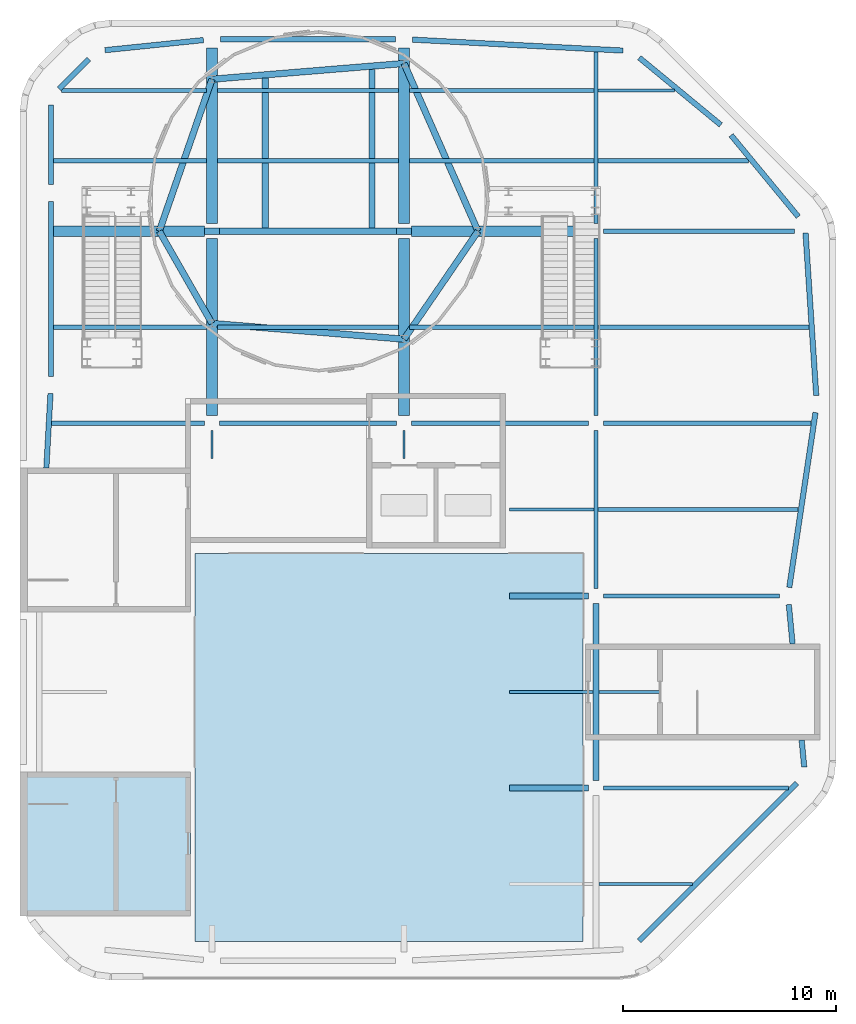
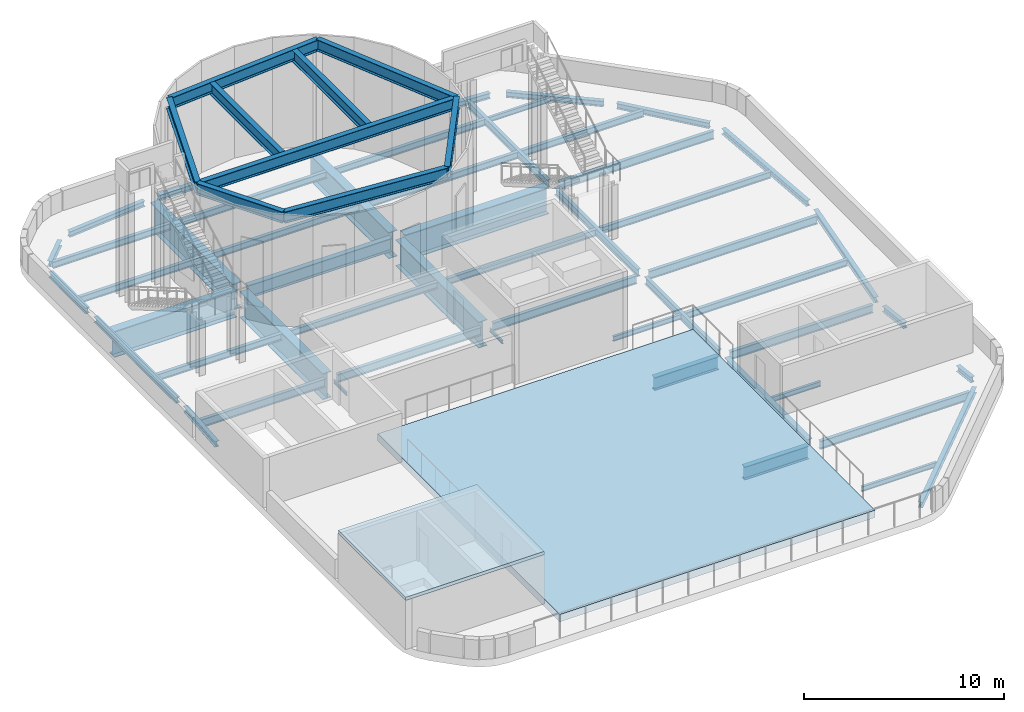
# One storey, part 2 of 6: 62 beams, 2 slabs.
"""IFC4 building model written with IfcOpenShell, lengths in metres."""

from ifc_helpers import new_model, si_unit, direction, frame, origin, origin_2d, place, context, subcontext, project, spatial, polyline, i_section, outline, extrude, material, layer, layer_set, material_profile, profile_set, type_object, element, save


model = new_model("IFC4")

# Units and contexts
model_context = context("Model", 3, precision=1e-05, world=origin(), true_north=direction((0.0, 1.0)))
body_context = subcontext(model_context, "Body", "Model", "MODEL_VIEW")
ifc_project = project(units=[si_unit("LENGTHUNIT", "METRE"), si_unit("AREAUNIT", "SQUARE_METRE"), si_unit("VOLUMEUNIT", "CUBIC_METRE"), si_unit("PLANEANGLEUNIT", "RADIAN"), si_unit("MASSUNIT", "GRAM", prefix="KILO")], contexts=[model_context])

# Site, building, storey
site_placement = place(None, origin())
site = spatial("IfcSite", under=ifc_project, at=site_placement, CompositionType="ELEMENT")
building_placement = place(site_placement, origin())
building = spatial("IfcBuilding", under=site, at=building_placement, Name="Cinnabar Reach Civic Tower", CompositionType="ELEMENT")
storey_placement = place(building_placement, frame((0.0, 0.0, 298.0)))
storey = spatial("IfcBuildingStorey", under=building, at=storey_placement, Name="Roof", CompositionType="ELEMENT", Elevation=298.0)

# Beams
ifc_material_1 = material(Name="Steel Q355B", Category="steel")
ifc_material_profile_1 = material_profile(ifc_material_1, i_section(OverallWidth=0.5, OverallDepth=1.6, WebThickness=0.025, FlangeThickness=0.04, at=origin_2d()), Name="BH1600x500x25x40")
ifc_profile_set_1 = profile_set([ifc_material_profile_1], Name="Steel Q355B")
beam_type_1 = type_object("IfcBeamType", Name="BH1600x500x25x40 beam R 180", PredefinedType="BEAM", material=ifc_profile_set_1)
beam_1_placement = place(storey_placement, frame((1.5801, 53.1, -1.25), z_axis=(1.0, 0.0, 0.0), x_axis=(0.0, 1.0, 0.0)))
element("IfcBeam", 1, at=beam_1_placement, inside=storey, type_object=beam_type_1, Name="Girder T1 Roof 9", PredefinedType="BEAM", context=body_context, shape_type="SweptSolid", body=[
    extrude(i_section(OverallWidth=0.5, OverallDepth=1.6, WebThickness=0.025, FlangeThickness=0.04, at=origin_2d()), origin(), (0.0, 0.0, 1.0), 7.0679),
])
for number, where, z_axis, x_axis, name in (
    (2, (18.352, 53.1, -1.25), (1.0, 0.0, 0.0), (0.0, 1.0, 0.0), "Girder T1 Roof 11"),
    (3, (9.0, 44.452, -1.25), (0.0, 1.0, 0.0), (-1.0, 0.0, 0.0), "Girder T1 Roof 3"),
):
    element("IfcBeam", number, at=place(storey_placement, frame(where, z_axis=z_axis, x_axis=x_axis)), inside=storey, type_object=beam_type_1, Name=name, PredefinedType="BEAM", context=body_context, shape_type="SweptSolid", body=[
        extrude(i_section(OverallWidth=0.5, OverallDepth=1.6, WebThickness=0.025, FlangeThickness=0.04, at=origin_2d()), origin(), (0.0, 0.0, 1.0), 8.296),
    ])
beam_2_placement = place(storey_placement, frame((9.0, 53.452, -1.25), z_axis=(0.0, 1.0, 0.0), x_axis=(-1.0, 0.0, 0.0)))
element("IfcBeam", 4, at=beam_2_placement, inside=storey, type_object=beam_type_1, Name="Girder T1 Roof 4", PredefinedType="BEAM", context=body_context, shape_type="SweptSolid", body=[
    extrude(i_section(OverallWidth=0.5, OverallDepth=1.6, WebThickness=0.025, FlangeThickness=0.04, at=origin_2d()), origin(), (0.0, 0.0, 1.0), 8.246),
])
beam_3_placement = place(storey_placement, frame((18.0, 44.452, -1.25), z_axis=(0.0, 1.0, 0.0), x_axis=(-1.0, 0.0, 0.0)))
element("IfcBeam", 5, at=beam_3_placement, inside=storey, type_object=beam_type_1, Name="Girder T1 Roof 7", PredefinedType="BEAM", context=body_context, shape_type="SweptSolid", body=[
    extrude(i_section(OverallWidth=0.5, OverallDepth=1.6, WebThickness=0.025, FlangeThickness=0.04, at=origin_2d()), origin(), (0.0, 0.0, 1.0), 8.296),
])
beam_4_placement = place(storey_placement, frame((18.0, 53.452, -1.25), z_axis=(0.0, 1.0, 0.0), x_axis=(-1.0, 0.0, 0.0)))
element("IfcBeam", 6, at=beam_4_placement, inside=storey, type_object=beam_type_1, Name="Girder T1 Roof 8", PredefinedType="BEAM", context=body_context, shape_type="SweptSolid", body=[
    extrude(i_section(OverallWidth=0.5, OverallDepth=1.6, WebThickness=0.025, FlangeThickness=0.04, at=origin_2d()), origin(), (0.0, 0.0, 1.0), 8.246),
])
ifc_material_profile_2 = material_profile(ifc_material_1, i_section(OverallWidth=0.25, OverallDepth=0.34, WebThickness=0.009, FlangeThickness=0.014, FilletRadius=0.013, at=origin_2d()), Name="HM340x250x9x14")
ifc_profile_set_2 = profile_set([ifc_material_profile_2], Name="Steel Q355B")
beam_type_2 = type_object("IfcBeamType", Name="HM340x250x9x14 beam R 180", PredefinedType="BEAM", material=ifc_profile_set_2)
beam_5_placement = place(storey_placement, frame((29.0301, 19.8351, -0.62), z_axis=(0.707106781187, 0.707106781187, 0.0), x_axis=(-0.707106781187, 0.707106781187, 0.0)))
element("IfcBeam", 7, at=beam_5_placement, inside=storey, type_object=beam_type_2, Name="Edge beam T1 Roof 4", PredefinedType="BEAM", context=body_context, shape_type="SweptSolid", body=[
    extrude(i_section(OverallWidth=0.25, OverallDepth=0.34, WebThickness=0.009, FlangeThickness=0.014, FilletRadius=0.013, at=origin_2d()), origin(), (0.0, 0.0, 1.0), 10.4437),
])
beam_6_placement = place(storey_placement, frame((36.7607, 27.9839, -0.62), z_axis=(-0.094504338241, 0.995524449752, 0.0), x_axis=(-0.995524449752, -0.094504338241, 0.0)))
element("IfcBeam", 8, at=beam_6_placement, inside=storey, type_object=beam_type_2, Name="Edge beam T1 Roof 5", PredefinedType="BEAM", context=body_context, shape_type="SweptSolid", body=[
    extrude(i_section(OverallWidth=0.25, OverallDepth=0.34, WebThickness=0.009, FlangeThickness=0.014, FilletRadius=0.013, at=origin_2d()), origin(), (0.0, 0.0, 1.0), 1.2698),
])
beam_7_placement = place(storey_placement, frame((36.2133, 33.752, -0.62), z_axis=(-0.094483333102, 0.995526443529, 0.0), x_axis=(-0.995526443529, -0.094483333102, 0.0)))
element("IfcBeam", 9, at=beam_7_placement, inside=storey, type_object=beam_type_2, Name="Edge beam T1 Roof 6", PredefinedType="BEAM", context=body_context, shape_type="SweptSolid", body=[
    extrude(i_section(OverallWidth=0.25, OverallDepth=0.34, WebThickness=0.009, FlangeThickness=0.014, FilletRadius=0.013, at=origin_2d()), origin(), (0.0, 0.0, 1.0), 1.8543),
])
beam_8_placement = place(storey_placement, frame((36.0603, 36.402, -0.62), z_axis=(0.14834045293, 0.988936352868, 0.0), x_axis=(-0.988936352868, 0.14834045293, 0.0)))
element("IfcBeam", 10, at=beam_8_placement, inside=storey, type_object=beam_type_2, Name="Edge beam T1 Roof 7", PredefinedType="BEAM", context=body_context, shape_type="SweptSolid", body=[
    extrude(i_section(OverallWidth=0.25, OverallDepth=0.34, WebThickness=0.009, FlangeThickness=0.014, FilletRadius=0.013, at=origin_2d()), origin(), (0.0, 0.0, 1.0), 8.2877),
])
beam_9_placement = place(storey_placement, frame((37.3235, 45.402, -0.62), z_axis=(-0.065709195057, 0.997838815483, 0.0), x_axis=(-0.997838815483, -0.065709195057, 0.0)))
element("IfcBeam", 11, at=beam_9_placement, inside=storey, type_object=beam_type_2, Name="Edge beam T1 Roof 8", PredefinedType="BEAM", context=body_context, shape_type="SweptSolid", body=[
    extrude(i_section(OverallWidth=0.25, OverallDepth=0.34, WebThickness=0.009, FlangeThickness=0.014, FilletRadius=0.013, at=origin_2d()), origin(), (0.0, 0.0, 1.0), 7.6306),
])
for number, where, z_axis, x_axis, name in (
    (12, (36.4818, 53.7801, -0.62), (-0.636303312762, 0.771438976309, 0.0), (-0.771438976309, -0.636303312762, 0.0), "Edge beam T1 Roof 9"),
    (13, (32.8486, 58.0822, -0.62), (-0.771438976309, 0.636303312762, 0.0), (-0.636303312762, -0.771438976309, 0.0), "Edge beam T1 Roof 10"),
):
    element("IfcBeam", number, at=place(storey_placement, frame(where, z_axis=z_axis, x_axis=x_axis)), inside=storey, type_object=beam_type_2, Name=name, PredefinedType="BEAM", context=body_context, shape_type="SweptSolid", body=[
        extrude(i_section(OverallWidth=0.25, OverallDepth=0.34, WebThickness=0.009, FlangeThickness=0.014, FilletRadius=0.013, at=origin_2d()), origin(), (0.0, 0.0, 1.0), 4.9498),
    ])
beam_10_placement = place(storey_placement, frame((28.2661, 61.5667, -0.62), z_axis=(-0.998653533726, 0.051876001934, 0.0), x_axis=(-0.051876001934, -0.998653533726, 0.0)))
element("IfcBeam", 14, at=beam_10_placement, inside=storey, type_object=beam_type_2, Name="Edge beam T1 Roof 11", PredefinedType="BEAM", context=body_context, shape_type="SweptSolid", body=[
    extrude(i_section(OverallWidth=0.25, OverallDepth=0.34, WebThickness=0.009, FlangeThickness=0.014, FilletRadius=0.013, at=origin_2d()), origin(), (0.0, 0.0, 1.0), 9.8774),
])
beam_11_placement = place(storey_placement, frame((17.598, 62.1, -0.62), z_axis=(-1.0, 0.0, 0.0), x_axis=(0.0, -1.0, 0.0)))
element("IfcBeam", 15, at=beam_11_placement, inside=storey, type_object=beam_type_2, Name="Edge beam T1 Roof 12", PredefinedType="BEAM", context=body_context, shape_type="SweptSolid", body=[
    extrude(i_section(OverallWidth=0.25, OverallDepth=0.34, WebThickness=0.009, FlangeThickness=0.014, FilletRadius=0.013, at=origin_2d()), origin(), (0.0, 0.0, 1.0), 8.196),
])
beam_12_placement = place(storey_placement, frame((8.598, 62.0588, -0.62), z_axis=(-0.994791084875, -0.101934770579, 0.0), x_axis=(0.101934770579, -0.994791084875, 0.0)))
element("IfcBeam", 16, at=beam_12_placement, inside=storey, type_object=beam_type_2, Name="Edge beam T1 Roof 13", PredefinedType="BEAM", context=body_context, shape_type="SweptSolid", body=[
    extrude(i_section(OverallWidth=0.25, OverallDepth=0.34, WebThickness=0.009, FlangeThickness=0.014, FilletRadius=0.013, at=origin_2d()), origin(), (0.0, 0.0, 1.0), 4.6383),
])
beam_13_placement = place(storey_placement, frame((3.2199, 61.1649, -0.62), z_axis=(-0.707106781187, -0.707106781187, 0.0), x_axis=(0.707106781187, -0.707106781187, 0.0)))
element("IfcBeam", 17, at=beam_13_placement, inside=storey, type_object=beam_type_2, Name="Edge beam T1 Roof 14", PredefinedType="BEAM", context=body_context, shape_type="SweptSolid", body=[
    extrude(i_section(OverallWidth=0.25, OverallDepth=0.34, WebThickness=0.009, FlangeThickness=0.014, FilletRadius=0.013, at=origin_2d()), origin(), (0.0, 0.0, 1.0), 1.9584),
])
beam_14_placement = place(storey_placement, frame((1.4531, 59.0161, -0.62), z_axis=(0.0, -1.0, 0.0), x_axis=(1.0, 0.0, 0.0)))
element("IfcBeam", 18, at=beam_14_placement, inside=storey, type_object=beam_type_2, Name="Edge beam T1 Roof 15", PredefinedType="BEAM", context=body_context, shape_type="SweptSolid", body=[
    extrude(i_section(OverallWidth=0.25, OverallDepth=0.34, WebThickness=0.009, FlangeThickness=0.014, FilletRadius=0.013, at=origin_2d()), origin(), (0.0, 0.0, 1.0), 3.716),
])
beam_15_placement = place(storey_placement, frame((1.4531, 54.4961, -0.62), z_axis=(0.0, -1.0, 0.0), x_axis=(1.0, 0.0, 0.0)))
element("IfcBeam", 19, at=beam_15_placement, inside=storey, type_object=beam_type_2, Name="Edge beam T1 Roof 16", PredefinedType="BEAM", context=body_context, shape_type="SweptSolid", body=[
    extrude(i_section(OverallWidth=0.25, OverallDepth=0.34, WebThickness=0.009, FlangeThickness=0.014, FilletRadius=0.013, at=origin_2d()), origin(), (0.0, 0.0, 1.0), 8.196),
])
beam_16_placement = place(storey_placement, frame((1.4306, 45.4961, -0.62), z_axis=(-0.055778628236, -0.998443160441, 0.0), x_axis=(0.998443160441, -0.055778628236, 0.0)))
element("IfcBeam", 20, at=beam_16_placement, inside=storey, type_object=beam_type_2, Name="Edge beam T1 Roof 17", PredefinedType="BEAM", context=body_context, shape_type="SweptSolid", body=[
    extrude(i_section(OverallWidth=0.25, OverallDepth=0.34, WebThickness=0.009, FlangeThickness=0.014, FilletRadius=0.013, at=origin_2d()), origin(), (0.0, 0.0, 1.0), 3.4995),
])
ifc_material_profile_3 = material_profile(ifc_material_1, i_section(OverallWidth=0.099, OverallDepth=0.198, WebThickness=0.0045, FlangeThickness=0.007, FilletRadius=0.013, at=origin_2d()), Name="HN200x100x5.5x8")
ifc_profile_set_3 = profile_set([ifc_material_profile_3], Name="Steel Q355B")
beam_type_3 = type_object("IfcBeamType", Name="HN200x100x5.5x8 beam R 180", PredefinedType="BEAM", material=ifc_profile_set_3)
for number, where, z_axis, x_axis, name in (
    (21, (9.0, 42.452, -0.549), (0.0, 1.0, 0.0), (-1.0, 0.0, 0.0), "Girder T1 Roof 2"),
    (22, (18.0, 42.452, -0.549), (0.0, 1.0, 0.0), (-1.0, 0.0, 0.0), "Girder T1 Roof 6"),
):
    element("IfcBeam", number, at=place(storey_placement, frame(where, z_axis=z_axis, x_axis=x_axis)), inside=storey, type_object=beam_type_3, Name=name, PredefinedType="BEAM", context=body_context, shape_type="SweptSolid", body=[
        extrude(i_section(OverallWidth=0.099, OverallDepth=0.198, WebThickness=0.0045, FlangeThickness=0.007, FilletRadius=0.013, at=origin_2d()), origin(), (0.0, 0.0, 1.0), 1.296),
    ])
ifc_material_profile_4 = material_profile(ifc_material_1, i_section(OverallWidth=0.15, OverallDepth=0.3, WebThickness=0.0065, FlangeThickness=0.009, FilletRadius=0.013, at=origin_2d()), Name="HN300x150x6.5x9")
ifc_profile_set_4 = profile_set([ifc_material_profile_4], Name="Steel Q355B")
beam_type_4 = type_object("IfcBeamType", Name="HN300x150x6.5x9 beam R 180", PredefinedType="BEAM", material=ifc_profile_set_4)
beam_17_placement = place(storey_placement, frame((27.152, 22.5, -0.6), z_axis=(1.0, 0.0, 0.0), x_axis=(0.0, 1.0, 0.0)))
element("IfcBeam", 23, at=beam_17_placement, inside=storey, type_object=beam_type_4, Name="Secondary beam T1 Roof 2", PredefinedType="BEAM", context=body_context, shape_type="SweptSolid", body=[
    extrude(i_section(OverallWidth=0.15, OverallDepth=0.3, WebThickness=0.0065, FlangeThickness=0.009, FilletRadius=0.013, at=origin_2d()), origin(), (0.0, 0.0, 1.0), 4.3634),
])
beam_18_placement = place(storey_placement, frame((22.952, 31.5, -0.6), z_axis=(1.0, 0.0, 0.0), x_axis=(0.0, 1.0, 0.0)))
element("IfcBeam", 24, at=beam_18_placement, inside=storey, type_object=beam_type_4, Name="Secondary beam T1 Roof 4", PredefinedType="BEAM", context=body_context, shape_type="SweptSolid", body=[
    extrude(i_section(OverallWidth=0.15, OverallDepth=0.3, WebThickness=0.0065, FlangeThickness=0.009, FilletRadius=0.013, at=origin_2d()), origin(), (0.0, 0.0, 1.0), 3.896),
])
beam_19_placement = place(storey_placement, frame((27.152, 31.5, -0.6), z_axis=(1.0, 0.0, 0.0), x_axis=(0.0, 1.0, 0.0)))
element("IfcBeam", 25, at=beam_19_placement, inside=storey, type_object=beam_type_4, Name="Secondary beam T1 Roof 5", PredefinedType="BEAM", context=body_context, shape_type="SweptSolid", body=[
    extrude(i_section(OverallWidth=0.15, OverallDepth=0.3, WebThickness=0.0065, FlangeThickness=0.009, FilletRadius=0.013, at=origin_2d()), origin(), (0.0, 0.0, 1.0), 2.846),
])
beam_20_placement = place(storey_placement, frame((22.952, 40.05, -0.6), z_axis=(1.0, 0.0, 0.0), x_axis=(0.0, 1.0, 0.0)))
element("IfcBeam", 26, at=beam_20_placement, inside=storey, type_object=beam_type_4, Name="Secondary beam T1 Roof 6", PredefinedType="BEAM", context=body_context, shape_type="SweptSolid", body=[
    extrude(i_section(OverallWidth=0.15, OverallDepth=0.3, WebThickness=0.0065, FlangeThickness=0.009, FilletRadius=0.013, at=origin_2d()), origin(), (0.0, 0.0, 1.0), 3.946),
])
beam_21_placement = place(storey_placement, frame((27.102, 59.7, -0.6), z_axis=(1.0, 0.0, 0.0), x_axis=(0.0, 1.0, 0.0)))
element("IfcBeam", 27, at=beam_21_placement, inside=storey, type_object=beam_type_4, Name="Secondary beam T1 Roof 19", PredefinedType="BEAM", context=body_context, shape_type="SweptSolid", body=[
    extrude(i_section(OverallWidth=0.15, OverallDepth=0.3, WebThickness=0.0065, FlangeThickness=0.009, FilletRadius=0.013, at=origin_2d()), origin(), (0.0, 0.0, 1.0), 3.5856),
])
ifc_material_profile_5 = material_profile(ifc_material_1, i_section(OverallWidth=0.2, OverallDepth=0.4, WebThickness=0.008, FlangeThickness=0.013, FilletRadius=0.016, at=origin_2d()), Name="HN400x200x8x13")
ifc_profile_set_5 = profile_set([ifc_material_profile_5], Name="Steel Q355B")
beam_type_5 = type_object("IfcBeamType", Name="HN400x200x8x13 beam R 180", PredefinedType="BEAM", material=ifc_profile_set_5)
beam_22_placement = place(storey_placement, frame((27.102, 40.05, -0.65), z_axis=(1.0, 0.0, 0.0), x_axis=(0.0, 1.0, 0.0)))
element("IfcBeam", 28, at=beam_22_placement, inside=storey, type_object=beam_type_5, Name="Secondary beam T1 Roof 7", PredefinedType="BEAM", context=body_context, shape_type="SweptSolid", body=[
    extrude(i_section(OverallWidth=0.2, OverallDepth=0.4, WebThickness=0.008, FlangeThickness=0.013, FilletRadius=0.016, at=origin_2d()), origin(), (0.0, 0.0, 1.0), 9.3771),
])
beam_23_placement = place(storey_placement, frame((1.5801, 48.6, -0.65), z_axis=(1.0, 0.0, 0.0), x_axis=(0.0, 1.0, 0.0)))
element("IfcBeam", 29, at=beam_23_placement, inside=storey, type_object=beam_type_5, Name="Secondary beam T1 Roof 8", PredefinedType="BEAM", context=body_context, shape_type="SweptSolid", body=[
    extrude(i_section(OverallWidth=0.2, OverallDepth=0.4, WebThickness=0.008, FlangeThickness=0.013, FilletRadius=0.016, at=origin_2d()), origin(), (0.0, 0.0, 1.0), 7.1679),
])
beam_24_placement = place(storey_placement, frame((9.252, 48.6, -0.65), z_axis=(1.0, 0.0, 0.0), x_axis=(0.0, 1.0, 0.0)))
element("IfcBeam", 30, at=beam_24_placement, inside=storey, type_object=beam_type_5, Name="Secondary beam T1 Roof 9", PredefinedType="BEAM", context=body_context, shape_type="SweptSolid", body=[
    extrude(i_section(OverallWidth=0.2, OverallDepth=0.4, WebThickness=0.008, FlangeThickness=0.013, FilletRadius=0.016, at=origin_2d()), origin(), (0.0, 0.0, 1.0), 8.496),
])
beam_25_placement = place(storey_placement, frame((18.252, 48.6, -0.65), z_axis=(1.0, 0.0, 0.0), x_axis=(0.0, 1.0, 0.0)))
element("IfcBeam", 31, at=beam_25_placement, inside=storey, type_object=beam_type_5, Name="Secondary beam T1 Roof 10", PredefinedType="BEAM", context=body_context, shape_type="SweptSolid", body=[
    extrude(i_section(OverallWidth=0.2, OverallDepth=0.4, WebThickness=0.008, FlangeThickness=0.013, FilletRadius=0.016, at=origin_2d()), origin(), (0.0, 0.0, 1.0), 8.646),
])
beam_26_placement = place(storey_placement, frame((27.102, 48.6, -0.65), z_axis=(1.0, 0.0, 0.0), x_axis=(0.0, 1.0, 0.0)))
element("IfcBeam", 32, at=beam_26_placement, inside=storey, type_object=beam_type_5, Name="Secondary beam T1 Roof 11", PredefinedType="BEAM", context=body_context, shape_type="SweptSolid", body=[
    extrude(i_section(OverallWidth=0.2, OverallDepth=0.4, WebThickness=0.008, FlangeThickness=0.013, FilletRadius=0.016, at=origin_2d()), origin(), (0.0, 0.0, 1.0), 9.8836),
])
beam_27_placement = place(storey_placement, frame((1.5801, 56.4, -0.65), z_axis=(1.0, 0.0, 0.0), x_axis=(0.0, 1.0, 0.0)))
element("IfcBeam", 33, at=beam_27_placement, inside=storey, type_object=beam_type_5, Name="Secondary beam T1 Roof 12", PredefinedType="BEAM", context=body_context, shape_type="SweptSolid", body=[
    extrude(i_section(OverallWidth=0.2, OverallDepth=0.4, WebThickness=0.008, FlangeThickness=0.013, FilletRadius=0.016, at=origin_2d()), origin(), (0.0, 0.0, 1.0), 7.1679),
])
beam_28_placement = place(storey_placement, frame((9.252, 56.4, -0.65), z_axis=(1.0, 0.0, 0.0), x_axis=(0.0, 1.0, 0.0)))
element("IfcBeam", 34, at=beam_28_placement, inside=storey, type_object=beam_type_5, Name="Secondary beam T1 Roof 13", PredefinedType="BEAM", context=body_context, shape_type="SweptSolid", body=[
    extrude(i_section(OverallWidth=0.2, OverallDepth=0.4, WebThickness=0.008, FlangeThickness=0.013, FilletRadius=0.016, at=origin_2d()), origin(), (0.0, 0.0, 1.0), 8.496),
])
beam_29_placement = place(storey_placement, frame((18.252, 56.4, -0.65), z_axis=(1.0, 0.0, 0.0), x_axis=(0.0, 1.0, 0.0)))
element("IfcBeam", 35, at=beam_29_placement, inside=storey, type_object=beam_type_5, Name="Secondary beam T1 Roof 14", PredefinedType="BEAM", context=body_context, shape_type="SweptSolid", body=[
    extrude(i_section(OverallWidth=0.2, OverallDepth=0.4, WebThickness=0.008, FlangeThickness=0.013, FilletRadius=0.016, at=origin_2d()), origin(), (0.0, 0.0, 1.0), 8.646),
])
beam_30_placement = place(storey_placement, frame((27.102, 56.4, -0.65), z_axis=(1.0, 0.0, 0.0), x_axis=(0.0, 1.0, 0.0)))
element("IfcBeam", 36, at=beam_30_placement, inside=storey, type_object=beam_type_5, Name="Secondary beam T1 Roof 15", PredefinedType="BEAM", context=body_context, shape_type="SweptSolid", body=[
    extrude(i_section(OverallWidth=0.2, OverallDepth=0.4, WebThickness=0.008, FlangeThickness=0.013, FilletRadius=0.016, at=origin_2d()), origin(), (0.0, 0.0, 1.0), 7.0542),
])
beam_31_placement = place(storey_placement, frame((1.9551, 59.7, -0.65), z_axis=(1.0, 0.0, 0.0), x_axis=(0.0, 1.0, 0.0)))
element("IfcBeam", 37, at=beam_31_placement, inside=storey, type_object=beam_type_5, Name="Secondary beam T1 Roof 16", PredefinedType="BEAM", context=body_context, shape_type="SweptSolid", body=[
    extrude(i_section(OverallWidth=0.2, OverallDepth=0.4, WebThickness=0.008, FlangeThickness=0.013, FilletRadius=0.016, at=origin_2d()), origin(), (0.0, 0.0, 1.0), 6.7929),
])
beam_32_placement = place(storey_placement, frame((9.252, 59.7, -0.65), z_axis=(1.0, 0.0, 0.0), x_axis=(0.0, 1.0, 0.0)))
element("IfcBeam", 38, at=beam_32_placement, inside=storey, type_object=beam_type_5, Name="Secondary beam T1 Roof 17", PredefinedType="BEAM", context=body_context, shape_type="SweptSolid", body=[
    extrude(i_section(OverallWidth=0.2, OverallDepth=0.4, WebThickness=0.008, FlangeThickness=0.013, FilletRadius=0.016, at=origin_2d()), origin(), (0.0, 0.0, 1.0), 8.496),
])
beam_33_placement = place(storey_placement, frame((18.252, 59.7, -0.65), z_axis=(1.0, 0.0, 0.0), x_axis=(0.0, 1.0, 0.0)))
element("IfcBeam", 39, at=beam_33_placement, inside=storey, type_object=beam_type_5, Name="Secondary beam T1 Roof 18", PredefinedType="BEAM", context=body_context, shape_type="SweptSolid", body=[
    extrude(i_section(OverallWidth=0.2, OverallDepth=0.4, WebThickness=0.008, FlangeThickness=0.013, FilletRadius=0.016, at=origin_2d()), origin(), (0.0, 0.0, 1.0), 8.646),
])
ifc_material_profile_6 = material_profile(ifc_material_1, i_section(OverallWidth=0.2, OverallDepth=0.45, WebThickness=0.009, FlangeThickness=0.014, FilletRadius=0.016, at=origin_2d()), Name="HN450x200x9x14")
ifc_profile_set_6 = profile_set([ifc_material_profile_6], Name="Steel Q355B")
beam_type_6 = type_object("IfcBeamType", Name="HN450x200x9x14 beam R 180", PredefinedType="BEAM", material=ifc_profile_set_6)
beam_34_placement = place(storey_placement, frame((27.0, 36.352, -0.675), z_axis=(0.0, 1.0, 0.0), x_axis=(-1.0, 0.0, 0.0)))
element("IfcBeam", 40, at=beam_34_placement, inside=storey, type_object=beam_type_6, Name="Girder T1 Roof 11", PredefinedType="BEAM", context=body_context, shape_type="SweptSolid", body=[
    extrude(i_section(OverallWidth=0.2, OverallDepth=0.45, WebThickness=0.009, FlangeThickness=0.014, FilletRadius=0.016, at=origin_2d()), origin(), (0.0, 0.0, 1.0), 7.396),
])
beam_35_placement = place(storey_placement, frame((27.0, 44.452, -0.675), z_axis=(0.0, 1.0, 0.0), x_axis=(-1.0, 0.0, 0.0)))
element("IfcBeam", 41, at=beam_35_placement, inside=storey, type_object=beam_type_6, Name="Girder T1 Roof 12", PredefinedType="BEAM", context=body_context, shape_type="SweptSolid", body=[
    extrude(i_section(OverallWidth=0.2, OverallDepth=0.45, WebThickness=0.009, FlangeThickness=0.014, FilletRadius=0.016, at=origin_2d()), origin(), (0.0, 0.0, 1.0), 8.296),
])
beam_36_placement = place(storey_placement, frame((27.0, 53.452, -0.675), z_axis=(0.0, 1.0, 0.0), x_axis=(-1.0, 0.0, 0.0)))
element("IfcBeam", 42, at=beam_36_placement, inside=storey, type_object=beam_type_6, Name="Girder T1 Roof 13", PredefinedType="BEAM", context=body_context, shape_type="SweptSolid", body=[
    extrude(i_section(OverallWidth=0.2, OverallDepth=0.45, WebThickness=0.009, FlangeThickness=0.014, FilletRadius=0.016, at=origin_2d()), origin(), (0.0, 0.0, 1.0), 8.0533),
])
ifc_material_profile_7 = material_profile(ifc_material_1, i_section(OverallWidth=0.2, OverallDepth=0.5, WebThickness=0.01, FlangeThickness=0.016, FilletRadius=0.016, at=origin_2d()), Name="HN500x200x10x16")
ifc_profile_set_7 = profile_set([ifc_material_profile_7], Name="Steel Q355B")
beam_type_7 = type_object("IfcBeamType", Name="HN500x200x10x16 beam R 180", PredefinedType="BEAM", material=ifc_profile_set_7)
beam_37_placement = place(storey_placement, frame((27.352, 27.0, -0.7), z_axis=(1.0, 0.0, 0.0), x_axis=(0.0, 1.0, 0.0)))
element("IfcBeam", 43, at=beam_37_placement, inside=storey, type_object=beam_type_7, Name="Girder T1 Roof 2", PredefinedType="BEAM", context=body_context, shape_type="SweptSolid", body=[
    extrude(i_section(OverallWidth=0.2, OverallDepth=0.5, WebThickness=0.01, FlangeThickness=0.016, FilletRadius=0.016, at=origin_2d()), origin(), (0.0, 0.0, 1.0), 8.6634),
])
beam_38_placement = place(storey_placement, frame((27.352, 36.0, -0.7), z_axis=(1.0, 0.0, 0.0), x_axis=(0.0, 1.0, 0.0)))
element("IfcBeam", 44, at=beam_38_placement, inside=storey, type_object=beam_type_7, Name="Girder T1 Roof 4", PredefinedType="BEAM", context=body_context, shape_type="SweptSolid", body=[
    extrude(i_section(OverallWidth=0.2, OverallDepth=0.5, WebThickness=0.01, FlangeThickness=0.016, FilletRadius=0.016, at=origin_2d()), origin(), (0.0, 0.0, 1.0), 8.246),
])
beam_39_placement = place(storey_placement, frame((1.4798, 44.1, -0.7), z_axis=(1.0, 0.0, 0.0), x_axis=(0.0, 1.0, 0.0)))
element("IfcBeam", 45, at=beam_39_placement, inside=storey, type_object=beam_type_7, Name="Girder T1 Roof 5", PredefinedType="BEAM", context=body_context, shape_type="SweptSolid", body=[
    extrude(i_section(OverallWidth=0.2, OverallDepth=0.5, WebThickness=0.01, FlangeThickness=0.016, FilletRadius=0.016, at=origin_2d()), origin(), (0.0, 0.0, 1.0), 7.1682),
])
for number, where, z_axis, x_axis, name in (
    (46, (9.352, 44.1, -0.7), (1.0, 0.0, 0.0), (0.0, 1.0, 0.0), "Girder T1 Roof 6"),
    (47, (18.352, 44.1, -0.7), (1.0, 0.0, 0.0), (0.0, 1.0, 0.0), "Girder T1 Roof 7"),
):
    element("IfcBeam", number, at=place(storey_placement, frame(where, z_axis=z_axis, x_axis=x_axis)), inside=storey, type_object=beam_type_7, Name=name, PredefinedType="BEAM", context=body_context, shape_type="SweptSolid", body=[
        extrude(i_section(OverallWidth=0.2, OverallDepth=0.5, WebThickness=0.01, FlangeThickness=0.016, FilletRadius=0.016, at=origin_2d()), origin(), (0.0, 0.0, 1.0), 8.296),
    ])
beam_40_placement = place(storey_placement, frame((27.352, 44.1, -0.7), z_axis=(1.0, 0.0, 0.0), x_axis=(0.0, 1.0, 0.0)))
element("IfcBeam", 48, at=beam_40_placement, inside=storey, type_object=beam_type_7, Name="Girder T1 Roof 8", PredefinedType="BEAM", context=body_context, shape_type="SweptSolid", body=[
    extrude(i_section(OverallWidth=0.2, OverallDepth=0.5, WebThickness=0.01, FlangeThickness=0.016, FilletRadius=0.016, at=origin_2d()), origin(), (0.0, 0.0, 1.0), 9.7346),
])
beam_41_placement = place(storey_placement, frame((27.352, 53.1, -0.7), z_axis=(1.0, 0.0, 0.0), x_axis=(0.0, 1.0, 0.0)))
element("IfcBeam", 49, at=beam_41_placement, inside=storey, type_object=beam_type_7, Name="Girder T1 Roof 12", PredefinedType="BEAM", context=body_context, shape_type="SweptSolid", body=[
    extrude(i_section(OverallWidth=0.2, OverallDepth=0.5, WebThickness=0.01, FlangeThickness=0.016, FilletRadius=0.016, at=origin_2d()), origin(), (0.0, 0.0, 1.0), 8.9429),
])
ifc_material_profile_8 = material_profile(ifc_material_1, i_section(OverallWidth=0.3, OverallDepth=0.7, WebThickness=0.013, FlangeThickness=0.024, FilletRadius=0.02, at=origin_2d()), Name="HN700x300x13x24")
ifc_profile_set_8 = profile_set([ifc_material_profile_8], Name="Steel Q355B")
beam_type_8 = type_object("IfcBeamType", Name="HN700x300x13x24 beam", PredefinedType="BEAM", material=ifc_profile_set_8)
beam_42_placement = place(storey_placement, frame((6.5301, 53.1, 6.45), z_axis=(0.496028632646, -0.868306164665, 0.0), x_axis=(0.868306164665, 0.496028632646, 0.0)))
element("IfcBeam", 50, at=beam_42_placement, inside=storey, type_object=beam_type_8, Name="Plant drum ring beam", PredefinedType="BEAM", context=body_context, shape_type="SweptSolid", body=[
    extrude(i_section(OverallWidth=0.3, OverallDepth=0.7, WebThickness=0.013, FlangeThickness=0.024, FilletRadius=0.02, at=origin_2d()), origin(), (0.0, 0.0, 1.0), 4.9793),
])
beam_43_placement = place(storey_placement, frame((9.0, 48.7764, 6.45), z_axis=(0.996649445974, -0.081791697866, 0.0), x_axis=(0.081791697866, 0.996649445974, 0.0)))
element("IfcBeam", 51, at=beam_43_placement, inside=storey, type_object=beam_type_8, Name="Plant drum ring beam", PredefinedType="BEAM", context=body_context, shape_type="SweptSolid", body=[
    extrude(i_section(OverallWidth=0.3, OverallDepth=0.7, WebThickness=0.013, FlangeThickness=0.024, FilletRadius=0.02, at=origin_2d()), origin(), (0.0, 0.0, 1.0), 9.0303),
])
beam_44_placement = place(storey_placement, frame((18.0, 48.0378, 6.45), z_axis=(0.565381737782, 0.824829370587, 0.0), x_axis=(-0.824829370587, 0.565381737782, 0.0)))
element("IfcBeam", 52, at=beam_44_placement, inside=storey, type_object=beam_type_8, Name="Plant drum ring beam", PredefinedType="BEAM", context=body_context, shape_type="SweptSolid", body=[
    extrude(i_section(OverallWidth=0.3, OverallDepth=0.7, WebThickness=0.013, FlangeThickness=0.024, FilletRadius=0.02, at=origin_2d()), origin(), (0.0, 0.0, 1.0), 6.1373),
])
beam_45_placement = place(storey_placement, frame((21.4699, 53.1, 6.45), z_axis=(-0.403765108888, 0.914862687426, 0.0), x_axis=(-0.914862687426, -0.403765108888, 0.0)))
element("IfcBeam", 53, at=beam_45_placement, inside=storey, type_object=beam_type_8, Name="Plant drum ring beam", PredefinedType="BEAM", context=body_context, shape_type="SweptSolid", body=[
    extrude(i_section(OverallWidth=0.3, OverallDepth=0.7, WebThickness=0.013, FlangeThickness=0.024, FilletRadius=0.02, at=origin_2d()), origin(), (0.0, 0.0, 1.0), 8.5939),
])
beam_46_placement = place(storey_placement, frame((18.0, 60.9622, 6.45), z_axis=(-0.996649445974, -0.081791697866, 0.0), x_axis=(0.081791697866, -0.996649445974, 0.0)))
element("IfcBeam", 54, at=beam_46_placement, inside=storey, type_object=beam_type_8, Name="Plant drum ring beam", PredefinedType="BEAM", context=body_context, shape_type="SweptSolid", body=[
    extrude(i_section(OverallWidth=0.3, OverallDepth=0.7, WebThickness=0.013, FlangeThickness=0.024, FilletRadius=0.02, at=origin_2d()), origin(), (0.0, 0.0, 1.0), 9.0303),
])
beam_47_placement = place(storey_placement, frame((9.0, 60.2236, 6.45), z_axis=(-0.327588839728, -0.944820380859, 0.0), x_axis=(0.944820380859, -0.327588839728, 0.0)))
element("IfcBeam", 55, at=beam_47_placement, inside=storey, type_object=beam_type_8, Name="Plant drum ring beam", PredefinedType="BEAM", context=body_context, shape_type="SweptSolid", body=[
    extrude(i_section(OverallWidth=0.3, OverallDepth=0.7, WebThickness=0.013, FlangeThickness=0.024, FilletRadius=0.02, at=origin_2d()), origin(), (0.0, 0.0, 1.0), 7.5396),
])
beam_48_placement = place(storey_placement, frame((6.5301, 53.1, 6.45), z_axis=(1.0, 0.0, 0.0), x_axis=(0.0, 1.0, 0.0)))
element("IfcBeam", 56, at=beam_48_placement, inside=storey, type_object=beam_type_8, Name="Plant drum grillage girder", PredefinedType="BEAM", context=body_context, shape_type="SweptSolid", body=[
    extrude(i_section(OverallWidth=0.3, OverallDepth=0.7, WebThickness=0.013, FlangeThickness=0.024, FilletRadius=0.02, at=origin_2d()), origin(), (0.0, 0.0, 1.0), 14.9398),
])
beam_49_placement = place(storey_placement, frame((11.5, 53.25, 6.45), z_axis=(0.0, 1.0, 0.0), x_axis=(-1.0, 0.0, 0.0)))
element("IfcBeam", 57, at=beam_49_placement, inside=storey, type_object=beam_type_8, Name="Plant drum grillage girder", PredefinedType="BEAM", context=body_context, shape_type="SweptSolid", body=[
    extrude(i_section(OverallWidth=0.3, OverallDepth=0.7, WebThickness=0.013, FlangeThickness=0.024, FilletRadius=0.02, at=origin_2d()), origin(), (0.0, 0.0, 1.0), 7.0288),
])
beam_50_placement = place(storey_placement, frame((16.5, 53.25, 6.45), z_axis=(0.0, 1.0, 0.0), x_axis=(-1.0, 0.0, 0.0)))
element("IfcBeam", 58, at=beam_50_placement, inside=storey, type_object=beam_type_8, Name="Plant drum grillage girder", PredefinedType="BEAM", context=body_context, shape_type="SweptSolid", body=[
    extrude(i_section(OverallWidth=0.3, OverallDepth=0.7, WebThickness=0.013, FlangeThickness=0.024, FilletRadius=0.02, at=origin_2d()), origin(), (0.0, 0.0, 1.0), 7.4391),
])
ifc_material_profile_9 = material_profile(ifc_material_1, i_section(OverallWidth=0.3, OverallDepth=0.8, WebThickness=0.014, FlangeThickness=0.026, FilletRadius=0.02, at=origin_2d()), Name="HN800x300x14x26")
ifc_profile_set_9 = profile_set([ifc_material_profile_9], Name="Steel Q355B")
beam_type_9 = type_object("IfcBeamType", Name="HN800x300x14x26 beam R 180", PredefinedType="BEAM", material=ifc_profile_set_9)
for number, where, z_axis, x_axis, name in (
    (59, (22.952, 27.0, -0.85), (1.0, 0.0, 0.0), (0.0, 1.0, 0.0), "Girder T1 Roof 1"),
    (60, (22.952, 36.0, -0.85), (1.0, 0.0, 0.0), (0.0, 1.0, 0.0), "Girder T1 Roof 3"),
):
    element("IfcBeam", number, at=place(storey_placement, frame(where, z_axis=z_axis, x_axis=x_axis)), inside=storey, type_object=beam_type_9, Name=name, PredefinedType="BEAM", context=body_context, shape_type="SweptSolid", body=[
        extrude(i_section(OverallWidth=0.3, OverallDepth=0.8, WebThickness=0.014, FlangeThickness=0.026, FilletRadius=0.02, at=origin_2d()), origin(), (0.0, 0.0, 1.0), 3.696),
    ])
for number, where, z_axis, x_axis, name in (
    (61, (9.352, 53.1, -0.85), (1.0, 0.0, 0.0), (0.0, 1.0, 0.0), "Girder T1 Roof 10"),
    (62, (27.0, 27.352, -0.85), (0.0, 1.0, 0.0), (-1.0, 0.0, 0.0), "Girder T1 Roof 10"),
):
    element("IfcBeam", number, at=place(storey_placement, frame(where, z_axis=z_axis, x_axis=x_axis)), inside=storey, type_object=beam_type_9, Name=name, PredefinedType="BEAM", context=body_context, shape_type="SweptSolid", body=[
        extrude(i_section(OverallWidth=0.3, OverallDepth=0.8, WebThickness=0.014, FlangeThickness=0.026, FilletRadius=0.02, at=origin_2d()), origin(), (0.0, 0.0, 1.0), 8.296),
    ])

# Slabs
ifc_material_2 = material(Name="Concrete C40", Category="concrete")
ifc_layer_1 = layer(ifc_material_2, 0.2)
ifc_layer_set_1 = layer_set([ifc_layer_1], Name="Facade head-house roof slab 200")
slab_type_1 = type_object("IfcSlabType", Name="Facade head-house roof slab 200", PredefinedType="ROOF", material=ifc_layer_set_1)
slab_1_placement = place(storey_placement, frame((0.0, 0.0, 3.0)))
element("IfcSlab", 63, at=slab_1_placement, inside=storey, type_object=slab_type_1, Name="Head-house roof slab", PredefinedType="ROOF", context=body_context, shape_type="SweptSolid", body=[
    extrude(outline(polyline([(0.0, 21.0), (8.0, 21.0), (8.0, 27.75), (0.0, 27.75), (0.0, 21.0)])), origin(), (0.0, 0.0, 1.0), 0.2),
])
ifc_layer_2 = layer(ifc_material_2, 0.3)
ifc_layer_set_2 = layer_set([ifc_layer_2], Name="Helipad deck slab 300")
slab_type_2 = type_object("IfcSlabType", Name="Helipad deck slab 300", PredefinedType="ROOF", material=ifc_layer_set_2)
slab_2_placement = place(storey_placement, frame((0.0, 0.0, -0.45)))
element("IfcSlab", 64, at=slab_2_placement, inside=storey, type_object=slab_type_2, Name="Helipad deck slab", PredefinedType="ROOF", context=body_context, shape_type="SweptSolid", body=[
    extrude(outline(polyline([(26.4, 19.8), (26.4, 38.0), (8.2, 38.0), (8.2, 19.8), (26.4, 19.8)])), origin(), (0.0, 0.0, 1.0), 0.45),
])

save(model, "model.ifc")
